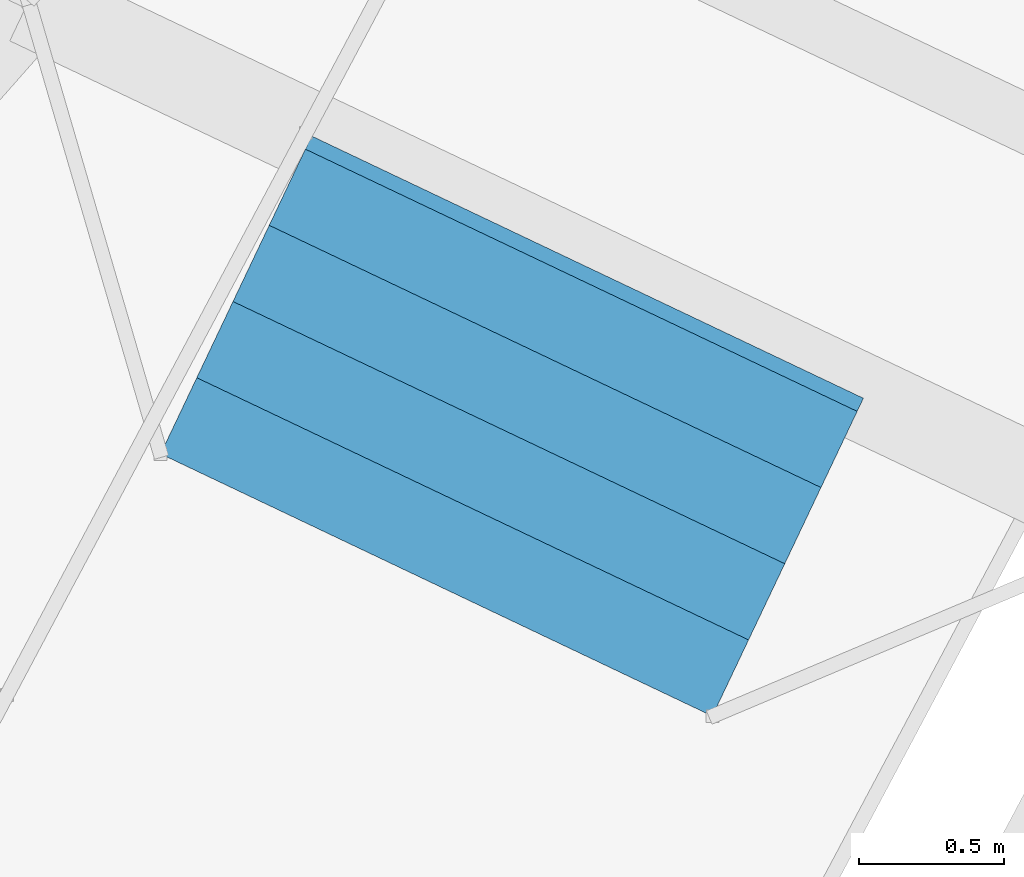
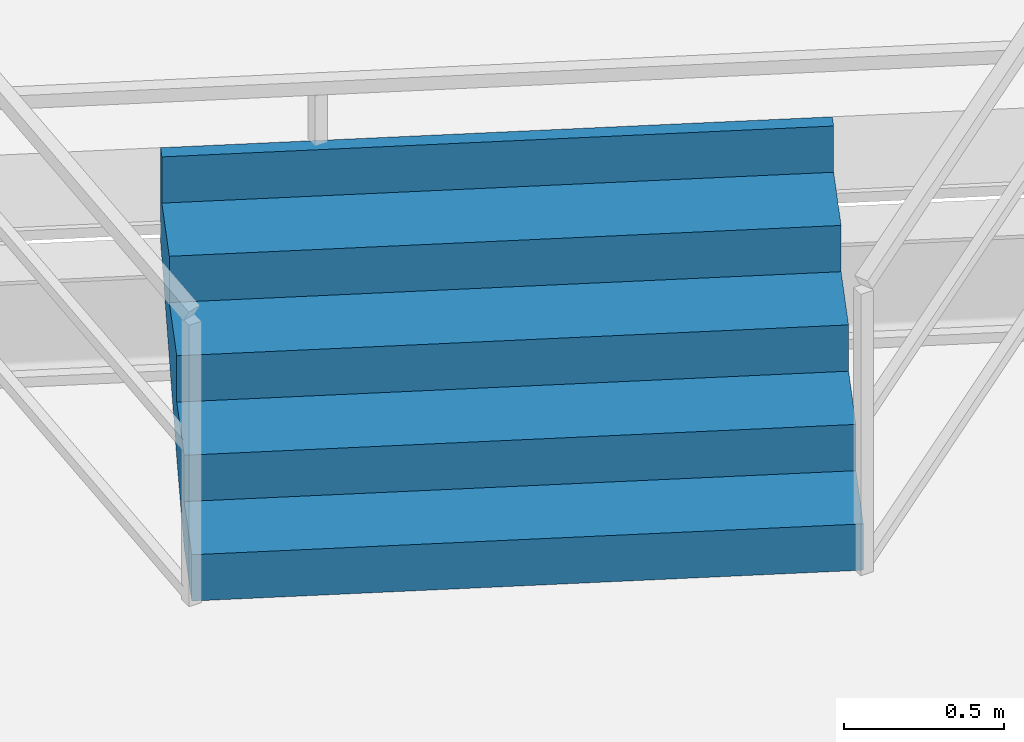
# One storey, part 142 of 186: 1 stair flight, 1 element without a shape of its own.
"""IFC4 building model written with IfcOpenShell, lengths in metres."""

from ifc_helpers import new_model, si_unit, direction, frame, origin, place, context, subcontext, project, spatial, polygons, material, type_object, element, aggregate, save


model = new_model("IFC4")

# Units and contexts
model_context = context("Model", 3, precision=1e-05, world=origin(), true_north=direction((0.0, 1.0)))
body_context = subcontext(model_context, "Body", "Model", "MODEL_VIEW")
ifc_project = project(units=[si_unit("LENGTHUNIT", "METRE"), si_unit("AREAUNIT", "SQUARE_METRE"), si_unit("VOLUMEUNIT", "CUBIC_METRE"), si_unit("PLANEANGLEUNIT", "RADIAN"), si_unit("MASSUNIT", "GRAM", prefix="KILO")], contexts=[model_context])

# Site, building, storey
site_placement = place(None, origin())
site = spatial("IfcSite", under=ifc_project, at=site_placement, CompositionType="ELEMENT")
building_placement = place(site_placement, origin())
building = spatial("IfcBuilding", under=site, at=building_placement, Name="Kazemori Nagisa Stadium", CompositionType="ELEMENT")
storey_placement = place(building_placement, frame((0.0, 0.0, 20.39990234375)))
storey = spatial("IfcBuildingStorey", under=building, at=storey_placement, Name="L04", CompositionType="ELEMENT", Elevation=20.39990234375)

# Stair, stair flight
ifc_material = material(Name="Concrete C36/45 (Fc36)", Category="concrete")
stair_type = type_object("IfcStairType", Name="Stair_VOM_VU", PredefinedType="STRAIGHT_RUN_STAIR", material=ifc_material)
stair_placement = place(storey_placement, origin())
stair = element("IfcStair", 1, at=stair_placement, inside=storey, type_object=stair_type, Name="Vomitory stair upper VU08", PredefinedType="STRAIGHT_RUN_STAIR")
stair_flight_type = type_object("IfcStairFlightType", Name="Flight_VOM_VU", PredefinedType="STRAIGHT", material=ifc_material)
stair_flight_placement = place(storey_placement, frame((86.776611328125, 38.74169921875, 0.0), z_axis=(0.0, 0.0, 1.0), x_axis=(0.429189909393, 0.903214272294, 0.0)))
stair_flight = element("IfcStairFlight", 2, at=stair_flight_placement, type_object=stair_flight_type, Name="Vomitory stair upper VU08 flight", NumberOfRisers=5, NumberOfTreads=4, PredefinedType="STRAIGHT", RiserHeight=0.176, TreadLength=0.29, context=body_context, shape_type="Tessellation", body=[
    polygons([(0.0, -1.050048828125, 0.0), (0.0, -1.050048828125, 0.176025390625), (0.2900390625, -1.050048828125, 0.176025390625), (0.2900390625, -1.050048828125, 0.35205078125), (0.580078125, -1.050048828125, 0.35205078125), (0.580078125, -1.050048828125, 0.528076171875), (0.8701171875, -1.050048828125, 0.528076171875), (0.8701171875, -1.050048828125, 0.7041015625), (1.159912109375, -1.050048828125, 0.7041015625), (1.159912109375, -1.050048828125, 0.8798828125), (1.2099609375, -1.050048828125, 0.8798828125), (1.2099609375, -1.050048828125, 0.52392578125), (1.159912109375, -1.050048828125, 0.493408203125), (0.8701171875, -1.050048828125, 0.317626953125), (0.580078125, -1.050048828125, 0.1416015625), (0.2900390625, -1.050048828125, 0.0), (0.0, -0.083984375, 0.0), (0.0, -0.083984375, 0.176025390625), (0.2900390625, -0.083984375, 0.176025390625), (0.2900390625, -0.083984375, 0.35205078125), (0.580078125, -0.083984375, 0.35205078125), (0.580078125, -0.083984375, 0.528076171875), (0.8701171875, -0.083984375, 0.528076171875), (0.8701171875, -0.083984375, 0.7041015625), (1.159912109375, -0.083984375, 0.7041015625), (1.159912109375, -0.083984375, 0.8798828125), (1.2099609375, -0.083984375, 0.8798828125), (1.2099609375, -0.083984375, 0.52392578125), (1.159912109375, -0.083984375, 0.493408203125), (0.8701171875, -0.083984375, 0.317626953125), (0.580078125, -0.083984375, 0.1416015625), (0.2900390625, -0.083984375, 0.0), (0.0, -0.06298828125, 0.0), (0.0, -0.06298828125, 0.176025390625), (0.2900390625, -0.06298828125, 0.176025390625), (0.2900390625, -0.06298828125, 0.35205078125), (0.580078125, -0.06298828125, 0.35205078125), (0.580078125, -0.06298828125, 0.528076171875), (0.8701171875, -0.06298828125, 0.528076171875), (0.8701171875, -0.06298828125, 0.7041015625), (1.159912109375, -0.06298828125, 0.7041015625), (1.159912109375, -0.06298828125, 0.8798828125), (1.2099609375, -0.06298828125, 0.8798828125), (1.2099609375, -0.06298828125, 0.52392578125), (1.159912109375, -0.06298828125, 0.493408203125), (0.8701171875, -0.06298828125, 0.317626953125), (0.580078125, -0.06298828125, 0.1416015625), (0.2900390625, -0.06298828125, 0.0), (0.0, -0.0419921875, 0.0), (0.0, -0.0419921875, 0.176025390625), (0.2900390625, -0.0419921875, 0.176025390625), (0.2900390625, -0.0419921875, 0.35205078125), (0.580078125, -0.0419921875, 0.35205078125), (0.580078125, -0.0419921875, 0.528076171875), (0.8701171875, -0.0419921875, 0.528076171875), (0.8701171875, -0.0419921875, 0.7041015625), (1.159912109375, -0.0419921875, 0.7041015625), (1.159912109375, -0.0419921875, 0.8798828125), (1.2099609375, -0.0419921875, 0.8798828125), (1.2099609375, -0.0419921875, 0.52392578125), (1.159912109375, -0.0419921875, 0.493408203125), (0.8701171875, -0.0419921875, 0.317626953125), (0.580078125, -0.0419921875, 0.1416015625), (0.2900390625, -0.0419921875, 0.0), (0.0, -0.02099609375, 0.0), (0.0, -0.02099609375, 0.176025390625), (0.2900390625, -0.02099609375, 0.176025390625), (0.2900390625, -0.02099609375, 0.35205078125), (0.580078125, -0.02099609375, 0.35205078125), (0.580078125, -0.02099609375, 0.528076171875), (0.8701171875, -0.02099609375, 0.528076171875), (0.8701171875, -0.02099609375, 0.7041015625), (1.159912109375, -0.02099609375, 0.7041015625), (1.159912109375, -0.02099609375, 0.8798828125), (1.2099609375, -0.02099609375, 0.8798828125), (1.2099609375, -0.02099609375, 0.52392578125), (1.159912109375, -0.02099609375, 0.493408203125), (0.8701171875, -0.02099609375, 0.317626953125), (0.580078125, -0.02099609375, 0.1416015625), (0.2900390625, -0.02099609375, 0.0), (0.0, 0.0, 0.0), (0.0, 0.0, 0.176025390625), (0.2900390625, 0.0, 0.176025390625), (0.2900390625, 0.0, 0.35205078125), (0.580078125, 0.0, 0.35205078125), (0.580078125, 0.0, 0.528076171875), (0.8701171875, 0.0, 0.528076171875), (0.8701171875, 0.0, 0.7041015625), (1.159912109375, 0.0, 0.7041015625), (1.159912109375, 0.0, 0.8798828125), (1.2099609375, 0.0, 0.8798828125), (1.2099609375, 0.0, 0.52392578125), (1.159912109375, 0.0, 0.493408203125), (0.8701171875, 0.0, 0.317626953125), (0.580078125, 0.0, 0.1416015625), (0.2900390625, 0.0, 0.0), (0.0, 0.02099609375, 0.0), (0.0, 0.02099609375, 0.176025390625), (0.2900390625, 0.02099609375, 0.176025390625), (0.2900390625, 0.02099609375, 0.35205078125), (0.580078125, 0.02099609375, 0.35205078125), (0.580078125, 0.02099609375, 0.528076171875), (0.8701171875, 0.02099609375, 0.528076171875), (0.8701171875, 0.02099609375, 0.7041015625), (1.159912109375, 0.02099609375, 0.7041015625), (1.159912109375, 0.02099609375, 0.8798828125), (1.2099609375, 0.02099609375, 0.8798828125), (1.2099609375, 0.02099609375, 0.52392578125), (1.159912109375, 0.02099609375, 0.493408203125), (0.8701171875, 0.02099609375, 0.317626953125), (0.580078125, 0.02099609375, 0.1416015625), (0.2900390625, 0.02099609375, 0.0), (0.0, 0.0419921875, 0.0), (0.0, 0.0419921875, 0.176025390625), (0.2900390625, 0.0419921875, 0.176025390625), (0.2900390625, 0.0419921875, 0.35205078125), (0.580078125, 0.0419921875, 0.35205078125), (0.580078125, 0.0419921875, 0.528076171875), (0.8701171875, 0.0419921875, 0.528076171875), (0.8701171875, 0.0419921875, 0.7041015625), (1.159912109375, 0.0419921875, 0.7041015625), (1.159912109375, 0.0419921875, 0.8798828125), (1.2099609375, 0.0419921875, 0.8798828125), (1.2099609375, 0.0419921875, 0.52392578125), (1.159912109375, 0.0419921875, 0.493408203125), (0.8701171875, 0.0419921875, 0.317626953125), (0.580078125, 0.0419921875, 0.1416015625), (0.2900390625, 0.0419921875, 0.0), (0.0, 0.06298828125, 0.0), (0.0, 0.06298828125, 0.176025390625), (0.2900390625, 0.06298828125, 0.176025390625), (0.2900390625, 0.06298828125, 0.35205078125), (0.580078125, 0.06298828125, 0.35205078125), (0.580078125, 0.06298828125, 0.528076171875), (0.8701171875, 0.06298828125, 0.528076171875), (0.8701171875, 0.06298828125, 0.7041015625), (1.159912109375, 0.06298828125, 0.7041015625), (1.159912109375, 0.06298828125, 0.8798828125), (1.2099609375, 0.06298828125, 0.8798828125), (1.2099609375, 0.06298828125, 0.52392578125), (1.159912109375, 0.06298828125, 0.493408203125), (0.8701171875, 0.06298828125, 0.317626953125), (0.580078125, 0.06298828125, 0.1416015625), (0.2900390625, 0.06298828125, 0.0), (0.0, 0.083984375, 0.0), (0.0, 0.083984375, 0.176025390625), (0.2900390625, 0.083984375, 0.176025390625), (0.2900390625, 0.083984375, 0.35205078125), (0.580078125, 0.083984375, 0.35205078125), (0.580078125, 0.083984375, 0.528076171875), (0.8701171875, 0.083984375, 0.528076171875), (0.8701171875, 0.083984375, 0.7041015625), (1.159912109375, 0.083984375, 0.7041015625), (1.159912109375, 0.083984375, 0.8798828125), (1.2099609375, 0.083984375, 0.8798828125), (1.2099609375, 0.083984375, 0.52392578125), (1.159912109375, 0.083984375, 0.493408203125), (0.8701171875, 0.083984375, 0.317626953125), (0.580078125, 0.083984375, 0.1416015625), (0.2900390625, 0.083984375, 0.0), (0.0, 1.050048828125, 0.0), (0.0, 1.050048828125, 0.176025390625), (0.2900390625, 1.050048828125, 0.176025390625), (0.2900390625, 1.050048828125, 0.35205078125), (0.580078125, 1.050048828125, 0.35205078125), (0.580078125, 1.050048828125, 0.528076171875), (0.8701171875, 1.050048828125, 0.528076171875), (0.8701171875, 1.050048828125, 0.7041015625), (1.159912109375, 1.050048828125, 0.7041015625), (1.159912109375, 1.050048828125, 0.8798828125), (1.2099609375, 1.050048828125, 0.8798828125), (1.2099609375, 1.050048828125, 0.52392578125), (1.159912109375, 1.050048828125, 0.493408203125), (0.8701171875, 1.050048828125, 0.317626953125), (0.580078125, 1.050048828125, 0.1416015625), (0.2900390625, 1.050048828125, 0.0)], [[[1, 2, 18]], [[1, 18, 17]], [[2, 3, 19]], [[2, 19, 18]], [[3, 4, 20]], [[3, 20, 19]], [[4, 5, 21]], [[4, 21, 20]], [[5, 6, 22]], [[5, 22, 21]], [[6, 7, 23]], [[6, 23, 22]], [[7, 8, 24]], [[7, 24, 23]], [[8, 9, 25]], [[8, 25, 24]], [[9, 10, 26]], [[9, 26, 25]], [[10, 11, 27]], [[10, 27, 26]], [[11, 12, 28]], [[11, 28, 27]], [[12, 13, 29]], [[12, 29, 28]], [[13, 14, 30]], [[13, 30, 29]], [[14, 15, 31]], [[14, 31, 30]], [[15, 16, 32]], [[15, 32, 31]], [[16, 1, 17]], [[16, 17, 32]], [[17, 18, 34]], [[17, 34, 33]], [[18, 19, 35]], [[18, 35, 34]], [[19, 20, 36]], [[19, 36, 35]], [[20, 21, 37]], [[20, 37, 36]], [[21, 22, 38]], [[21, 38, 37]], [[22, 23, 39]], [[22, 39, 38]], [[23, 24, 40]], [[23, 40, 39]], [[24, 25, 41]], [[24, 41, 40]], [[25, 26, 42]], [[25, 42, 41]], [[26, 27, 43]], [[26, 43, 42]], [[27, 28, 44]], [[27, 44, 43]], [[28, 29, 45]], [[28, 45, 44]], [[29, 30, 46]], [[29, 46, 45]], [[30, 31, 47]], [[30, 47, 46]], [[31, 32, 48]], [[31, 48, 47]], [[32, 17, 33]], [[32, 33, 48]], [[33, 34, 50]], [[33, 50, 49]], [[34, 35, 51]], [[34, 51, 50]], [[35, 36, 52]], [[35, 52, 51]], [[36, 37, 53]], [[36, 53, 52]], [[37, 38, 54]], [[37, 54, 53]], [[38, 39, 55]], [[38, 55, 54]], [[39, 40, 56]], [[39, 56, 55]], [[40, 41, 57]], [[40, 57, 56]], [[41, 42, 58]], [[41, 58, 57]], [[42, 43, 59]], [[42, 59, 58]], [[43, 44, 60]], [[43, 60, 59]], [[44, 45, 61]], [[44, 61, 60]], [[45, 46, 62]], [[45, 62, 61]], [[46, 47, 63]], [[46, 63, 62]], [[47, 48, 64]], [[47, 64, 63]], [[48, 33, 49]], [[48, 49, 64]], [[49, 50, 66]], [[49, 66, 65]], [[50, 51, 67]], [[50, 67, 66]], [[51, 52, 68]], [[51, 68, 67]], [[52, 53, 69]], [[52, 69, 68]], [[53, 54, 70]], [[53, 70, 69]], [[54, 55, 71]], [[54, 71, 70]], [[55, 56, 72]], [[55, 72, 71]], [[56, 57, 73]], [[56, 73, 72]], [[57, 58, 74]], [[57, 74, 73]], [[58, 59, 75]], [[58, 75, 74]], [[59, 60, 76]], [[59, 76, 75]], [[60, 61, 77]], [[60, 77, 76]], [[61, 62, 78]], [[61, 78, 77]], [[62, 63, 79]], [[62, 79, 78]], [[63, 64, 80]], [[63, 80, 79]], [[64, 49, 65]], [[64, 65, 80]], [[65, 66, 82]], [[65, 82, 81]], [[66, 67, 83]], [[66, 83, 82]], [[67, 68, 84]], [[67, 84, 83]], [[68, 69, 85]], [[68, 85, 84]], [[69, 70, 86]], [[69, 86, 85]], [[70, 71, 87]], [[70, 87, 86]], [[71, 72, 88]], [[71, 88, 87]], [[72, 73, 89]], [[72, 89, 88]], [[73, 74, 90]], [[73, 90, 89]], [[74, 75, 91]], [[74, 91, 90]], [[75, 76, 92]], [[75, 92, 91]], [[76, 77, 93]], [[76, 93, 92]], [[77, 78, 94]], [[77, 94, 93]], [[78, 79, 95]], [[78, 95, 94]], [[79, 80, 96]], [[79, 96, 95]], [[80, 65, 81]], [[80, 81, 96]], [[81, 82, 98]], [[81, 98, 97]], [[82, 83, 99]], [[82, 99, 98]], [[83, 84, 100]], [[83, 100, 99]], [[84, 85, 101]], [[84, 101, 100]], [[85, 86, 102]], [[85, 102, 101]], [[86, 87, 103]], [[86, 103, 102]], [[87, 88, 104]], [[87, 104, 103]], [[88, 89, 105]], [[88, 105, 104]], [[89, 90, 106]], [[89, 106, 105]], [[90, 91, 107]], [[90, 107, 106]], [[91, 92, 108]], [[91, 108, 107]], [[92, 93, 109]], [[92, 109, 108]], [[93, 94, 110]], [[93, 110, 109]], [[94, 95, 111]], [[94, 111, 110]], [[95, 96, 112]], [[95, 112, 111]], [[96, 81, 97]], [[96, 97, 112]], [[97, 98, 114]], [[97, 114, 113]], [[98, 99, 115]], [[98, 115, 114]], [[99, 100, 116]], [[99, 116, 115]], [[100, 101, 117]], [[100, 117, 116]], [[101, 102, 118]], [[101, 118, 117]], [[102, 103, 119]], [[102, 119, 118]], [[103, 104, 120]], [[103, 120, 119]], [[104, 105, 121]], [[104, 121, 120]], [[105, 106, 122]], [[105, 122, 121]], [[106, 107, 123]], [[106, 123, 122]], [[107, 108, 124]], [[107, 124, 123]], [[108, 109, 125]], [[108, 125, 124]], [[109, 110, 126]], [[109, 126, 125]], [[110, 111, 127]], [[110, 127, 126]], [[111, 112, 128]], [[111, 128, 127]], [[112, 97, 113]], [[112, 113, 128]], [[113, 114, 130]], [[113, 130, 129]], [[114, 115, 131]], [[114, 131, 130]], [[115, 116, 132]], [[115, 132, 131]], [[116, 117, 133]], [[116, 133, 132]], [[117, 118, 134]], [[117, 134, 133]], [[118, 119, 135]], [[118, 135, 134]], [[119, 120, 136]], [[119, 136, 135]], [[120, 121, 137]], [[120, 137, 136]], [[121, 122, 138]], [[121, 138, 137]], [[122, 123, 139]], [[122, 139, 138]], [[123, 124, 140]], [[123, 140, 139]], [[124, 125, 141]], [[124, 141, 140]], [[125, 126, 142]], [[125, 142, 141]], [[126, 127, 143]], [[126, 143, 142]], [[127, 128, 144]], [[127, 144, 143]], [[128, 113, 129]], [[128, 129, 144]], [[129, 130, 146]], [[129, 146, 145]], [[130, 131, 147]], [[130, 147, 146]], [[131, 132, 148]], [[131, 148, 147]], [[132, 133, 149]], [[132, 149, 148]], [[133, 134, 150]], [[133, 150, 149]], [[134, 135, 151]], [[134, 151, 150]], [[135, 136, 152]], [[135, 152, 151]], [[136, 137, 153]], [[136, 153, 152]], [[137, 138, 154]], [[137, 154, 153]], [[138, 139, 155]], [[138, 155, 154]], [[139, 140, 156]], [[139, 156, 155]], [[140, 141, 157]], [[140, 157, 156]], [[141, 142, 158]], [[141, 158, 157]], [[142, 143, 159]], [[142, 159, 158]], [[143, 144, 160]], [[143, 160, 159]], [[144, 129, 145]], [[144, 145, 160]], [[145, 146, 162]], [[145, 162, 161]], [[146, 147, 163]], [[146, 163, 162]], [[147, 148, 164]], [[147, 164, 163]], [[148, 149, 165]], [[148, 165, 164]], [[149, 150, 166]], [[149, 166, 165]], [[150, 151, 167]], [[150, 167, 166]], [[151, 152, 168]], [[151, 168, 167]], [[152, 153, 169]], [[152, 169, 168]], [[153, 154, 170]], [[153, 170, 169]], [[154, 155, 171]], [[154, 171, 170]], [[155, 156, 172]], [[155, 172, 171]], [[156, 157, 173]], [[156, 173, 172]], [[157, 158, 174]], [[157, 174, 173]], [[158, 159, 175]], [[158, 175, 174]], [[159, 160, 176]], [[159, 176, 175]], [[160, 145, 161]], [[160, 161, 176]], [[3, 2, 1]], [[161, 162, 163]], [[16, 3, 1]], [[161, 163, 176]], [[15, 3, 16]], [[176, 163, 175]], [[5, 3, 15]], [[175, 163, 165]], [[5, 4, 3]], [[163, 164, 165]], [[14, 5, 15]], [[175, 165, 174]], [[7, 5, 14]], [[174, 165, 167]], [[7, 6, 5]], [[165, 166, 167]], [[13, 7, 14]], [[174, 167, 173]], [[9, 7, 13]], [[173, 167, 169]], [[9, 8, 7]], [[167, 168, 169]], [[12, 9, 13]], [[173, 169, 172]], [[11, 9, 12]], [[172, 169, 171]], [[11, 10, 9]], [[169, 170, 171]]], closed=True),
])
aggregate(stair, [stair_flight])

save(model, "model.ifc")
